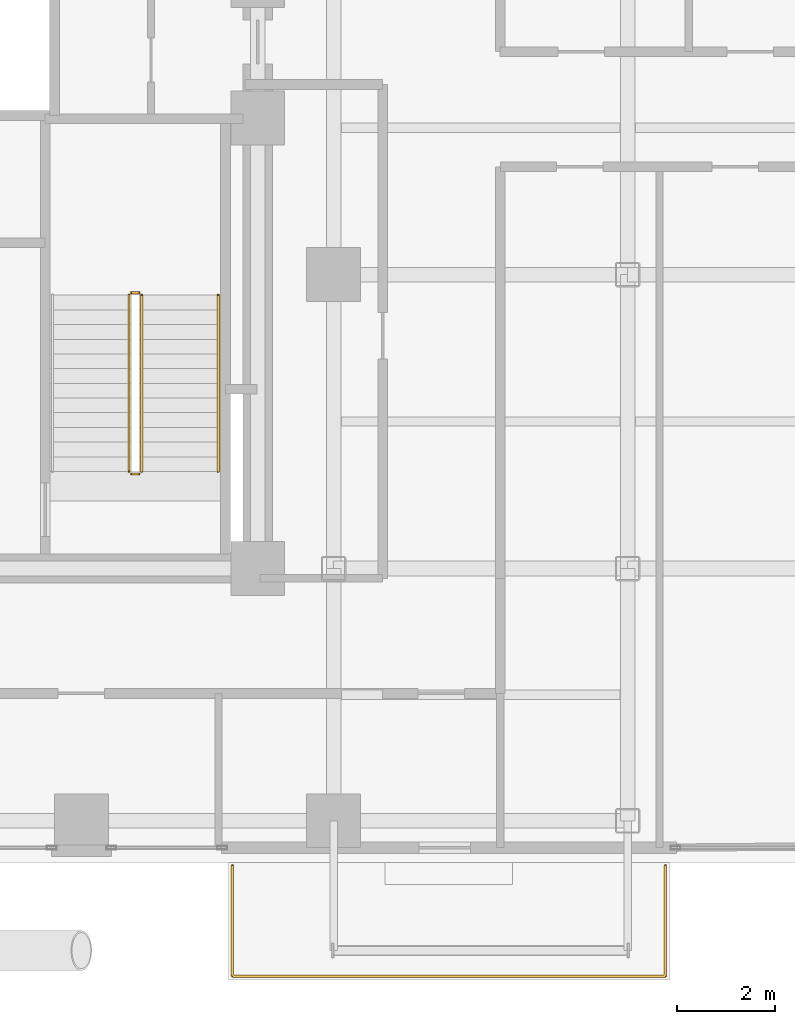
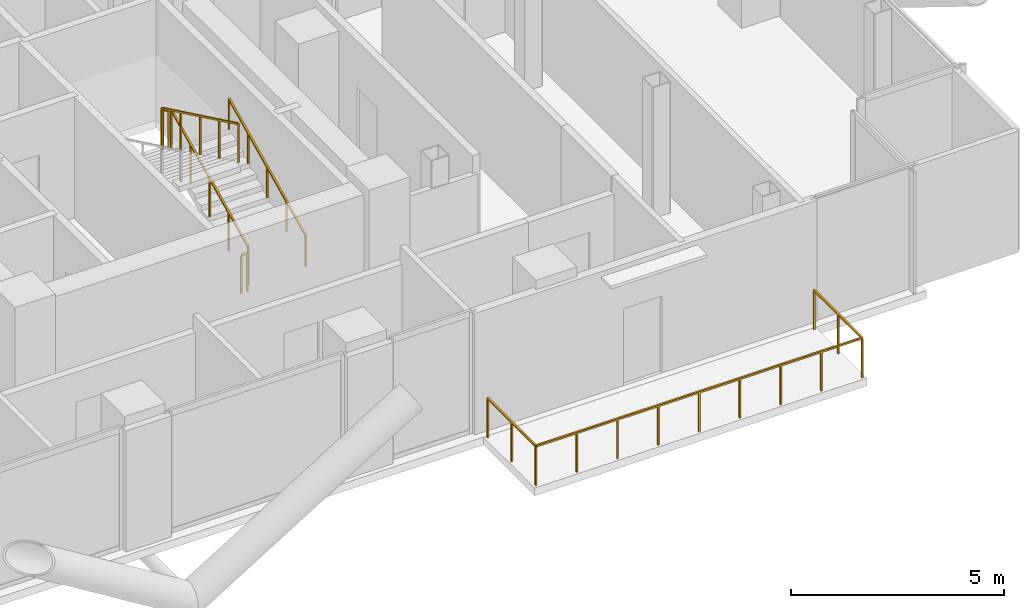
# One storey, part 27 of 28: 6 railings.
"""IFC4 building model written with IfcOpenShell, lengths in metres."""

from ifc_helpers import new_model, si_unit, direction, frame, origin, origin_2d, place, context, subcontext, project, spatial, rectangle, extrude, material, type_object, element, save


model = new_model("IFC4")

# Units and contexts
model_context = context("Model", 3, precision=1e-05, world=origin(), true_north=direction((0.0, 1.0)))
body_context = subcontext(model_context, "Body", "Model", "MODEL_VIEW")
ifc_project = project(units=[si_unit("LENGTHUNIT", "METRE"), si_unit("AREAUNIT", "SQUARE_METRE"), si_unit("VOLUMEUNIT", "CUBIC_METRE"), si_unit("PLANEANGLEUNIT", "RADIAN"), si_unit("MASSUNIT", "GRAM", prefix="KILO"), si_unit("THERMODYNAMICTEMPERATUREUNIT", "KELVIN"), si_unit("POWERUNIT", "WATT")], contexts=[model_context])

# Site, building, storey
site_placement = place(None, origin())
site = spatial("IfcSite", under=ifc_project, at=site_placement, CompositionType="ELEMENT")
building_placement = place(site_placement, origin())
building = spatial("IfcBuilding", under=site, at=building_placement, Name="Svarakhadi Broadcast Tower", CompositionType="ELEMENT")
storey_placement = place(building_placement, frame((0.0, 0.0, 107.10009765625)))
storey = spatial("IfcBuildingStorey", under=building, at=storey_placement, Name="L25", CompositionType="ELEMENT", Elevation=107.10009765625)

# Railings
ifc_material_1 = material(Name="Laminated Structural SentryGlas Balustrade 25.5 mm", Category="glass")
railing_type_1 = type_object("IfcRailingType", Name="Guard_Balcony_GR01", PredefinedType="BALUSTRADE", material=ifc_material_1)
railing_1_placement = place(storey_placement, frame((33.080078125, -0.06005859375, 0.0)))
element("IfcRailing", 1, at=railing_1_placement, inside=storey, type_object=railing_type_1, Name="L25 South Tree Balcony Guard GR-05", PredefinedType="BALUSTRADE", context=body_context, shape_type="SweptSolid", body=[
    extrude(rectangle(XDim=0.048095703125, YDim=0.048095703125, at=origin_2d()), frame((0.0, 0.0, 1.1259765625), z_axis=(0.0, -1.0, 0.0), x_axis=(1.0, 0.0, 0.0)), (0.0, 0.0, 1.0), 2.260009765625),
    extrude(rectangle(XDim=0.048095703125, YDim=0.048095703125, at=origin_2d()), frame((0.0, -2.260009765625, 1.1259765625), z_axis=(1.0, 0.0, 0.0), x_axis=(0.0, 1.0, 0.0)), (0.0, 0.0, 1.0), 8.83984375),
    extrude(rectangle(XDim=0.048095703125, YDim=0.048095703125, at=origin_2d()), frame((8.83984375, -2.260009765625, 1.1259765625), z_axis=(0.0, 1.0, 0.0), x_axis=(-1.0, 0.0, 0.0)), (0.0, 0.0, 1.0), 2.260009765625),
    extrude(rectangle(XDim=0.0419921875, YDim=0.0419921875, at=origin_2d()), origin(), (0.0, 0.0, 1.0), 1.101806640625),
    extrude(rectangle(XDim=0.0419921875, YDim=0.0419921875, at=origin_2d()), frame((0.0, -1.1298828125, 0.0)), (0.0, 0.0, 1.0), 1.101806640625),
    extrude(rectangle(XDim=0.0419921875, YDim=0.0419921875, at=origin_2d()), frame((0.0, -2.260009765625, 0.0)), (0.0, 0.0, 1.0), 1.101806640625),
    extrude(rectangle(XDim=0.0419921875, YDim=0.0419921875, at=origin_2d()), frame((1.10498046875, -2.260009765625, 0.0)), (0.0, 0.0, 1.0), 1.101806640625),
    extrude(rectangle(XDim=0.0419921875, YDim=0.0419921875, at=origin_2d()), frame((2.2099609375, -2.260009765625, 0.0)), (0.0, 0.0, 1.0), 1.101806640625),
    extrude(rectangle(XDim=0.0419921875, YDim=0.0419921875, at=origin_2d()), frame((3.31494140625, -2.260009765625, 0.0)), (0.0, 0.0, 1.0), 1.101806640625),
    extrude(rectangle(XDim=0.0419921875, YDim=0.0419921875, at=origin_2d()), frame((4.419921875, -2.260009765625, 0.0)), (0.0, 0.0, 1.0), 1.101806640625),
    extrude(rectangle(XDim=0.0419921875, YDim=0.0419921875, at=origin_2d()), frame((5.52490234375, -2.260009765625, 0.0)), (0.0, 0.0, 1.0), 1.101806640625),
    extrude(rectangle(XDim=0.0419921875, YDim=0.0419921875, at=origin_2d()), frame((6.6298828125, -2.260009765625, 0.0)), (0.0, 0.0, 1.0), 1.101806640625),
    extrude(rectangle(XDim=0.0419921875, YDim=0.0419921875, at=origin_2d()), frame((7.73486328125, -2.260009765625, 0.0)), (0.0, 0.0, 1.0), 1.101806640625),
    extrude(rectangle(XDim=0.0419921875, YDim=0.0419921875, at=origin_2d()), frame((8.83984375, -2.260009765625, 0.0)), (0.0, 0.0, 1.0), 1.101806640625),
    extrude(rectangle(XDim=0.0419921875, YDim=0.0419921875, at=origin_2d()), frame((8.83984375, -1.1298828125, 0.0)), (0.0, 0.0, 1.0), 1.101806640625),
    extrude(rectangle(XDim=0.0419921875, YDim=0.0419921875, at=origin_2d()), frame((8.83984375, 0.0, 0.0)), (0.0, 0.0, 1.0), 1.101806640625),
])
ifc_material_2 = material(Name="Anodised Bronze Aluminium AA 6063-T6", Category="aluminium")
railing_type_2 = type_object("IfcRailingType", Name="Guard_Stair_GR01", PredefinedType="GUARDRAIL", material=ifc_material_2)
railing_2_placement = place(storey_placement, frame((31.22998046875, 7.97998046875, 0.14404296875)))
element("IfcRailing", 2, at=railing_2_placement, inside=storey, type_object=railing_type_2, Name="L25 ST-02 stair guard 1", PredefinedType="GUARDRAIL", context=body_context, shape_type="SweptSolid", body=[
    extrude(rectangle(XDim=0.048095703125, YDim=0.048095703125, at=origin_2d()), frame((0.0, 0.0, 1.09619140625), z_axis=(0.0, 0.901238654732, 0.433323074871), x_axis=(-1.0, 0.0, 0.0)), (0.0, 0.0, 1.0), 3.99462890625),
    extrude(rectangle(XDim=0.0419921875, YDim=0.0419921875, at=origin_2d()), origin(), (0.0, 0.0, 1.0), 1.072021484375),
    extrude(rectangle(XDim=0.0419921875, YDim=0.0419921875, at=origin_2d()), frame((0.0, 0.89990234375, 0.4326171875)), (0.0, 0.0, 1.0), 1.072021484375),
    extrude(rectangle(XDim=0.0419921875, YDim=0.0419921875, at=origin_2d()), frame((0.0, 1.800048828125, 0.865478515625)), (0.0, 0.0, 1.0), 1.072021484375),
    extrude(rectangle(XDim=0.0419921875, YDim=0.0419921875, at=origin_2d()), frame((0.0, 2.7001953125, 1.29833984375)), (0.0, 0.0, 1.0), 1.072021484375),
    extrude(rectangle(XDim=0.0419921875, YDim=0.0419921875, at=origin_2d()), frame((0.0, 3.60009765625, 1.73095703125)), (0.0, 0.0, 1.0), 1.072021484375),
])
railing_3_placement = place(storey_placement, frame((31.179931640625, 11.6298828125, 1.875)))
element("IfcRailing", 3, at=railing_3_placement, inside=storey, type_object=railing_type_2, Name="L25 ST-02 stair guard 2", PredefinedType="GUARDRAIL", context=body_context, shape_type="SweptSolid", body=[
    extrude(rectangle(XDim=0.048095703125, YDim=0.048095703125, at=origin_2d()), frame((0.0, 0.0, 1.09619140625), z_axis=(-1.0, 0.0, 0.0), x_axis=(0.0, -1.0, 0.0)), (0.0, 0.0, 1.0), 0.159912109375),
    extrude(rectangle(XDim=0.0419921875, YDim=0.0419921875, at=origin_2d()), origin(), (0.0, 0.0, 1.0), 1.072021484375),
    extrude(rectangle(XDim=0.0419921875, YDim=0.0419921875, at=origin_2d()), frame((-0.159912109375, 0.0, 0.0)), (0.0, 0.0, 1.0), 1.072021484375),
])
railing_4_placement = place(storey_placement, frame((30.969970703125, 11.580078125, 2.01904296875)))
element("IfcRailing", 4, at=railing_4_placement, inside=storey, type_object=railing_type_2, Name="L25 ST-02 stair guard 3", PredefinedType="GUARDRAIL", context=body_context, shape_type="SweptSolid", body=[
    extrude(rectangle(XDim=0.048095703125, YDim=0.048095703125, at=origin_2d()), frame((0.0, 0.0, 1.09619140625), z_axis=(0.0, -0.901238654732, 0.433323074871), x_axis=(1.0, 0.0, 0.0)), (0.0, 0.0, 1.0), 3.99462890625),
    extrude(rectangle(XDim=0.0419921875, YDim=0.0419921875, at=origin_2d()), origin(), (0.0, 0.0, 1.0), 1.072021484375),
    extrude(rectangle(XDim=0.0419921875, YDim=0.0419921875, at=origin_2d()), frame((0.0, -0.89990234375, 0.4326171875)), (0.0, 0.0, 1.0), 1.072021484375),
    extrude(rectangle(XDim=0.0419921875, YDim=0.0419921875, at=origin_2d()), frame((0.0, -1.800048828125, 0.865478515625)), (0.0, 0.0, 1.0), 1.072021484375),
    extrude(rectangle(XDim=0.0419921875, YDim=0.0419921875, at=origin_2d()), frame((0.0, -2.7001953125, 1.29833984375)), (0.0, 0.0, 1.0), 1.072021484375),
    extrude(rectangle(XDim=0.0419921875, YDim=0.0419921875, at=origin_2d()), frame((0.0, -3.60009765625, 1.73095703125)), (0.0, 0.0, 1.0), 1.072021484375),
])
railing_5_placement = place(storey_placement, frame((31.179931640625, 7.929931640625, 0.0)))
element("IfcRailing", 5, at=railing_5_placement, inside=storey, type_object=railing_type_2, Name="L25 ST-02 stair guard 4", PredefinedType="GUARDRAIL", context=body_context, shape_type="SweptSolid", body=[
    extrude(rectangle(XDim=0.048095703125, YDim=0.048095703125, at=origin_2d()), frame((0.0, 0.0, 1.09619140625), z_axis=(-1.0, 0.0, 0.0), x_axis=(0.0, -1.0, 0.0)), (0.0, 0.0, 1.0), 0.159912109375),
    extrude(rectangle(XDim=0.0419921875, YDim=0.0419921875, at=origin_2d()), origin(), (0.0, 0.0, 1.0), 1.072021484375),
    extrude(rectangle(XDim=0.0419921875, YDim=0.0419921875, at=origin_2d()), frame((-0.159912109375, 0.0, 0.0)), (0.0, 0.0, 1.0), 1.072021484375),
])
railing_type_3 = type_object("IfcRailingType", Name="Handrail_Stair_HR01", PredefinedType="HANDRAIL", material=ifc_material_2)
railing_6_placement = place(storey_placement, frame((32.7900390625, 7.97998046875, 0.14404296875)))
element("IfcRailing", 6, at=railing_6_placement, inside=storey, type_object=railing_type_3, Name="L25 ST-02 stair handrail 1", PredefinedType="HANDRAIL", context=body_context, shape_type="SweptSolid", body=[
    extrude(rectangle(XDim=0.048095703125, YDim=0.048095703125, at=origin_2d()), frame((0.0, 0.0, 0.8759765625), z_axis=(0.0, 0.901238654732, 0.433323074871), x_axis=(-1.0, 0.0, 0.0)), (0.0, 0.0, 1.0), 3.99462890625),
    extrude(rectangle(XDim=0.0419921875, YDim=0.0419921875, at=origin_2d()), origin(), (0.0, 0.0, 1.0), 0.851806640625),
    extrude(rectangle(XDim=0.0419921875, YDim=0.0419921875, at=origin_2d()), frame((0.0, 0.89990234375, 0.4326171875)), (0.0, 0.0, 1.0), 0.851806640625),
    extrude(rectangle(XDim=0.0419921875, YDim=0.0419921875, at=origin_2d()), frame((0.0, 1.800048828125, 0.865478515625)), (0.0, 0.0, 1.0), 0.851806640625),
    extrude(rectangle(XDim=0.0419921875, YDim=0.0419921875, at=origin_2d()), frame((0.0, 2.7001953125, 1.29833984375)), (0.0, 0.0, 1.0), 0.851806640625),
    extrude(rectangle(XDim=0.0419921875, YDim=0.0419921875, at=origin_2d()), frame((0.0, 3.60009765625, 1.73095703125)), (0.0, 0.0, 1.0), 0.851806640625),
])

save(model, "model.ifc")
